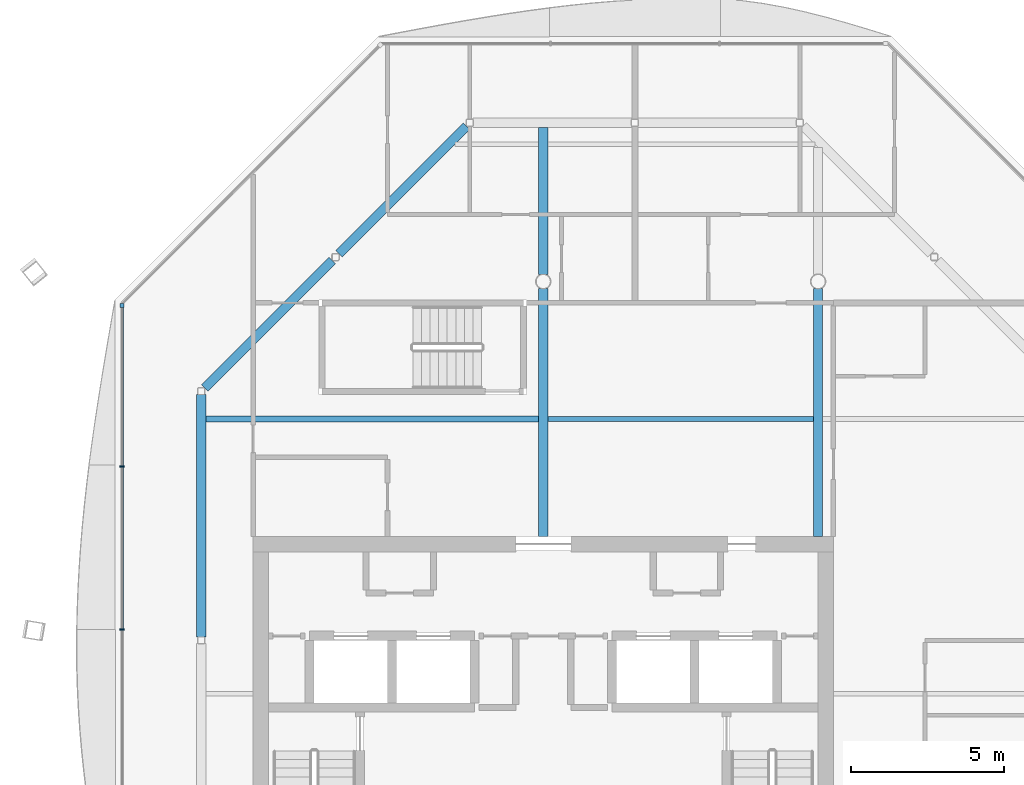
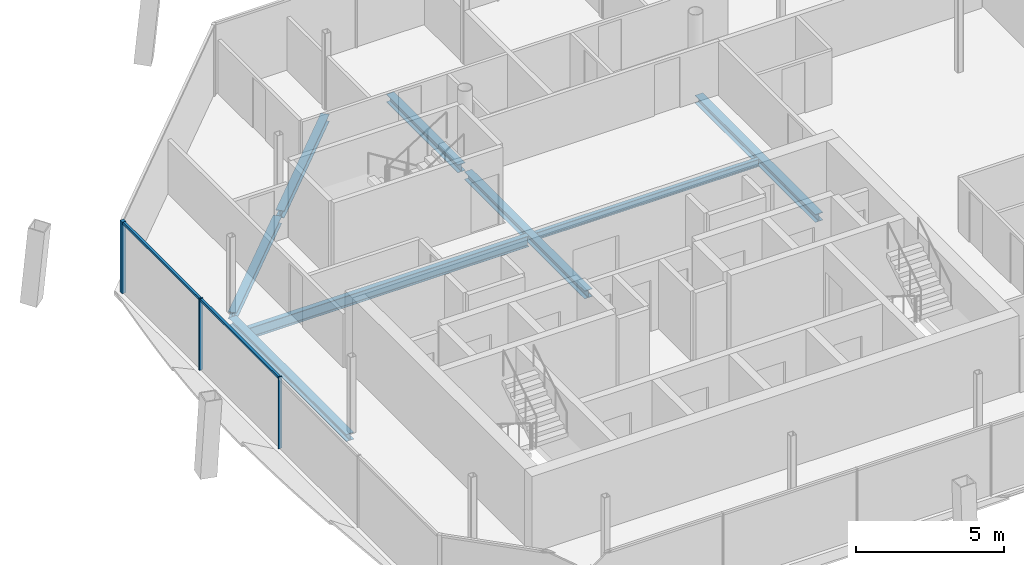
# One storey, part 5 of 16: 8 beams, 5 members, 1 element without a shape of its own.
"""IFC4 building model written with IfcOpenShell, lengths in metres."""

from ifc_helpers import new_model, si_unit, direction, frame, origin, origin_2d, place, context, subcontext, project, spatial, rectangle, i_section, extrude, material, material_profile, profile_set, type_object, element, aggregate, save


model = new_model("IFC4")

# Units and contexts
model_context = context("Model", 3, precision=1e-05, world=origin(), true_north=direction((0.0, 1.0)))
body_context = subcontext(model_context, "Body", "Model", "MODEL_VIEW")
ifc_project = project(units=[si_unit("LENGTHUNIT", "METRE"), si_unit("AREAUNIT", "SQUARE_METRE"), si_unit("VOLUMEUNIT", "CUBIC_METRE"), si_unit("PLANEANGLEUNIT", "RADIAN"), si_unit("MASSUNIT", "GRAM", prefix="KILO")], contexts=[model_context])

# Site, building, storey
site_placement = place(None, origin())
site = spatial("IfcSite", under=ifc_project, at=site_placement, CompositionType="ELEMENT")
building_placement = place(site_placement, origin())
building = spatial("IfcBuilding", under=site, at=building_placement, Name="Tskaro Facet Tower", CompositionType="ELEMENT")
storey_placement = place(building_placement, frame((0.0, 0.0, 262.64990234375)))
storey = spatial("IfcBuildingStorey", under=building, at=storey_placement, Name="L69", CompositionType="ELEMENT", Elevation=262.64990234375)

# Curtain wall, members
ifc_material_1 = material(Name="Bronze anodised aluminium 6063-T6", Category="aluminium")
curtain_wall_type = type_object("IfcCurtainWallType", Name="Bronze residence curtain wall (FW3)", PredefinedType="NOTDEFINED", material=ifc_material_1)
curtain_wall_placement = place(storey_placement, origin())
curtain_wall = element("IfcCurtainWall", 1, at=curtain_wall_placement, inside=storey, type_object=curtain_wall_type, Name="FW3 west facet L69", PredefinedType="NOTDEFINED")
ifc_material_profile_1 = material_profile(ifc_material_1, rectangle(XDim=0.139892578125, YDim=0.139892578125, at=origin_2d()), Name="Corner post 140x140")
ifc_profile_set_1 = profile_set([ifc_material_profile_1], Name="Bronze anodised aluminium 6063-T6")
member_type_1 = type_object("IfcMemberType", Name="FW3 bronze corner post 140x140", PredefinedType="MULLION", material=ifc_profile_set_1)
member_1_placement = place(storey_placement, frame((-13.79296875, 8.217041015625, 0.0), z_axis=(0.0, 0.0, 1.0), x_axis=(0.0, -1.0, 0.0)))
member_1 = element("IfcMember", 2, at=member_1_placement, type_object=member_type_1, Name="FW3 west corner post", PredefinedType="MULLION", context=body_context, shape_type="SweptSolid", body=[
    extrude(rectangle(XDim=0.139892578125, YDim=0.139892578125, at=origin_2d()), origin(), (0.0, 0.0, 1.0), 2.9501953125),
])
ifc_material_profile_2 = material_profile(ifc_material_1, rectangle(XDim=0.050048828125, YDim=0.139892578125, at=origin_2d()), Name="Mullion 50x140")
ifc_profile_set_2 = profile_set([ifc_material_profile_2], Name="Bronze anodised aluminium 6063-T6")
member_type_2 = type_object("IfcMemberType", Name="FW3 bronze mullion 50x140", PredefinedType="MULLION", material=ifc_profile_set_2)
member_2_placement = place(storey_placement, frame((-13.79296875, 2.94775390625, 0.0), z_axis=(0.0, 0.0, 1.0), x_axis=(0.0, -1.0, 0.0)))
member_2 = element("IfcMember", 3, at=member_2_placement, type_object=member_type_2, Name="FW3 west mullion 1", PredefinedType="MULLION", context=body_context, shape_type="SweptSolid", body=[
    extrude(rectangle(XDim=0.050048828125, YDim=0.139892578125, at=origin_2d()), origin(), (0.0, 0.0, 1.0), 2.9501953125),
])
member_3_placement = place(storey_placement, frame((-13.79296875, -2.3916015625, 0.0), z_axis=(0.0, 0.0, 1.0), x_axis=(0.0, -1.0, 0.0)))
member_3 = element("IfcMember", 4, at=member_3_placement, type_object=member_type_2, Name="FW3 west mullion 2", PredefinedType="MULLION", context=body_context, shape_type="SweptSolid", body=[
    extrude(rectangle(XDim=0.050048828125, YDim=0.139892578125, at=origin_2d()), origin(), (0.0, 0.0, 1.0), 2.9501953125),
])
ifc_material_profile_3 = material_profile(ifc_material_1, rectangle(XDim=0.10009765625, YDim=0.090087890625, at=origin_2d()), Name="Transom 100x90")
ifc_profile_set_3 = profile_set([ifc_material_profile_3], Name="Bronze anodised aluminium 6063-T6")
member_type_3 = type_object("IfcMemberType", Name="FW3 bronze transom 100x90", PredefinedType="USERDEFINED", material=ifc_profile_set_3)
member_4_placement = place(storey_placement, frame((-13.79296875, 8.14697265625, 2.905029296875), z_axis=(0.0, -1.0, 0.0), x_axis=(1.0, 0.0, 0.0)))
member_4 = element("IfcMember", 5, at=member_4_placement, type_object=member_type_3, Name="FW3 west transom 1.1", ObjectType="TRANSOM", PredefinedType="USERDEFINED", context=body_context, shape_type="SweptSolid", body=[
    extrude(rectangle(XDim=0.10009765625, YDim=0.090087890625, at=origin_2d()), origin(), (0.0, 0.0, 1.0), 5.17431640625),
])
member_5_placement = place(storey_placement, frame((-13.79296875, 2.9228515625, 2.905029296875), z_axis=(0.0, -1.0, 0.0), x_axis=(1.0, 0.0, 0.0)))
member_5 = element("IfcMember", 6, at=member_5_placement, type_object=member_type_3, Name="FW3 west transom 2.1", ObjectType="TRANSOM", PredefinedType="USERDEFINED", context=body_context, shape_type="SweptSolid", body=[
    extrude(rectangle(XDim=0.10009765625, YDim=0.090087890625, at=origin_2d()), origin(), (0.0, 0.0, 1.0), 5.289306640625),
])
aggregate(curtain_wall, [member_1, member_2, member_3, member_4, member_5])

# Beams
ifc_material_2 = material(Name="Steel S355J2", Category="steel")
ifc_material_profile_4 = material_profile(ifc_material_2, i_section(OverallWidth=0.300048828125, OverallDepth=0.300048828125, WebThickness=0.010986328125, FlangeThickness=0.01904296875, FilletRadius=0.027099609375, at=origin_2d()), Name="HE 300 B")
ifc_profile_set_4 = profile_set([ifc_material_profile_4], Name="Steel S355J2")
beam_type_1 = type_object("IfcBeamType", Name="HE 300 B ring beam", PredefinedType="BEAM", material=ifc_profile_set_4)
for number, where, z_axis, x_axis, name in (
    (7, (-2.513916015625, 14.089111328125, -0.289794921875), (-0.707024112481, -0.707189440228, 0.0), (0.707189440228, -0.707024112481, 0.0), "HE 300 B EB11-6"),
    (8, (-6.911865234375, 9.690185546875, -0.289794921875), (-0.707189440228, -0.707024112481, 0.0), (0.707024112481, -0.707189440228, 0.0), "HE 300 B EB12-6"),
):
    element("IfcBeam", number, at=place(storey_placement, frame(where, z_axis=z_axis, x_axis=x_axis)), inside=storey, type_object=beam_type_1, Name=name, PredefinedType="BEAM", context=body_context, shape_type="SweptSolid", body=[
        extrude(i_section(OverallWidth=0.300048828125, OverallDepth=0.300048828125, WebThickness=0.010986328125, FlangeThickness=0.01904296875, FilletRadius=0.027099609375, at=origin_2d()), origin(), (0.0, 0.0, 1.0), 5.90673828125),
    ])
beam_1_placement = place(storey_placement, frame((-11.199951171875, 5.298095703125, -0.289794921875), z_axis=(0.0, -1.0, 0.0), x_axis=(1.0, 0.0, 0.0)))
element("IfcBeam", 9, at=beam_1_placement, inside=storey, type_object=beam_type_1, Name="HE 300 B EB13-6", PredefinedType="BEAM", context=body_context, shape_type="SweptSolid", body=[
    extrude(i_section(OverallWidth=0.300048828125, OverallDepth=0.300048828125, WebThickness=0.010986328125, FlangeThickness=0.01904296875, FilletRadius=0.027099609375, at=origin_2d()), origin(), (0.0, 0.0, 1.0), 7.943115234375),
])
ifc_material_profile_5 = material_profile(ifc_material_2, i_section(OverallWidth=0.300048828125, OverallDepth=0.330078125, WebThickness=0.009521484375, FlangeThickness=0.0166015625, FilletRadius=0.027099609375, at=origin_2d()), Name="HE 340 A")
ifc_profile_set_5 = profile_set([ifc_material_profile_5], Name="Steel S355J2")
beam_type_2 = type_object("IfcBeamType", Name="HE 340 A girder", PredefinedType="BEAM", material=ifc_profile_set_5)
beam_2_placement = place(storey_placement, frame((0.0, 0.64990234375, -0.304931640625), z_axis=(0.0, 1.0, 0.0), x_axis=(-1.0, 0.0, 0.0)))
element("IfcBeam", 10, at=beam_2_placement, inside=storey, type_object=beam_type_2, Name="HE 340 A GB4-2-6", PredefinedType="BEAM", context=body_context, shape_type="SweptSolid", body=[
    extrude(i_section(OverallWidth=0.300048828125, OverallDepth=0.330078125, WebThickness=0.009521484375, FlangeThickness=0.0166015625, FilletRadius=0.027099609375, at=origin_2d()), origin(), (0.0, 0.0, 1.0), 8.1259765625),
])
beam_3_placement = place(storey_placement, frame((0.0, 9.22412109375, -0.304931640625), z_axis=(0.0, 1.0, 0.0), x_axis=(-1.0, 0.0, 0.0)))
element("IfcBeam", 11, at=beam_3_placement, inside=storey, type_object=beam_type_2, Name="HE 340 A GB4-3-6", PredefinedType="BEAM", context=body_context, shape_type="SweptSolid", body=[
    extrude(i_section(OverallWidth=0.300048828125, OverallDepth=0.330078125, WebThickness=0.009521484375, FlangeThickness=0.0166015625, FilletRadius=0.027099609375, at=origin_2d()), origin(), (0.0, 0.0, 1.0), 4.825927734375),
])
beam_4_placement = place(storey_placement, frame((9.0, 0.64990234375, -0.304931640625), z_axis=(0.0, 1.0, 0.0), x_axis=(-1.0, 0.0, 0.0)))
element("IfcBeam", 12, at=beam_4_placement, inside=storey, type_object=beam_type_2, Name="HE 340 A GB5-2-6", PredefinedType="BEAM", context=body_context, shape_type="SweptSolid", body=[
    extrude(i_section(OverallWidth=0.300048828125, OverallDepth=0.330078125, WebThickness=0.009521484375, FlangeThickness=0.0166015625, FilletRadius=0.027099609375, at=origin_2d()), origin(), (0.0, 0.0, 1.0), 8.1259765625),
])
ifc_material_profile_6 = material_profile(ifc_material_2, i_section(OverallWidth=0.14990234375, OverallDepth=0.300048828125, WebThickness=0.007080078125, FlangeThickness=0.0107421875, FilletRadius=0.014892578125, at=origin_2d()), Name="IPE 300")
ifc_profile_set_6 = profile_set([ifc_material_profile_6], Name="Steel S355J2")
beam_type_3 = type_object("IfcBeamType", Name="IPE 300 secondary beam", PredefinedType="BEAM", material=ifc_profile_set_6)
beam_5_placement = place(storey_placement, frame((0.14990234375, 4.5, -0.289794921875), z_axis=(1.0, 0.0, 0.0), x_axis=(0.0, 1.0, 0.0)))
element("IfcBeam", 13, at=beam_5_placement, inside=storey, type_object=beam_type_3, Name="IPE 300 SB4a-2-6", PredefinedType="BEAM", context=body_context, shape_type="SweptSolid", body=[
    extrude(i_section(OverallWidth=0.14990234375, OverallDepth=0.300048828125, WebThickness=0.007080078125, FlangeThickness=0.0107421875, FilletRadius=0.014892578125, at=origin_2d()), origin(), (0.0, 0.0, 1.0), 8.7001953125),
])
ifc_material_profile_7 = material_profile(ifc_material_2, i_section(OverallWidth=0.18994140625, OverallDepth=0.449951171875, WebThickness=0.009521484375, FlangeThickness=0.0146484375, FilletRadius=0.02099609375, at=origin_2d()), Name="IPE 450")
ifc_profile_set_7 = profile_set([ifc_material_profile_7], Name="Steel S355J2")
beam_type_4 = type_object("IfcBeamType", Name="IPE 450 long secondary beam", PredefinedType="BEAM", material=ifc_profile_set_7)
beam_6_placement = place(storey_placement, frame((-11.050048828125, 4.5, -0.364990234375), z_axis=(1.0, 0.0, 0.0), x_axis=(0.0, 1.0, 0.0)))
element("IfcBeam", 14, at=beam_6_placement, inside=storey, type_object=beam_type_4, Name="IPE 450 LSB4a-1-6", PredefinedType="BEAM", context=body_context, shape_type="SweptSolid", body=[
    extrude(i_section(OverallWidth=0.18994140625, OverallDepth=0.449951171875, WebThickness=0.009521484375, FlangeThickness=0.0146484375, FilletRadius=0.02099609375, at=origin_2d()), origin(), (0.0, 0.0, 1.0), 10.900146484375),
])

save(model, "model.ifc")
